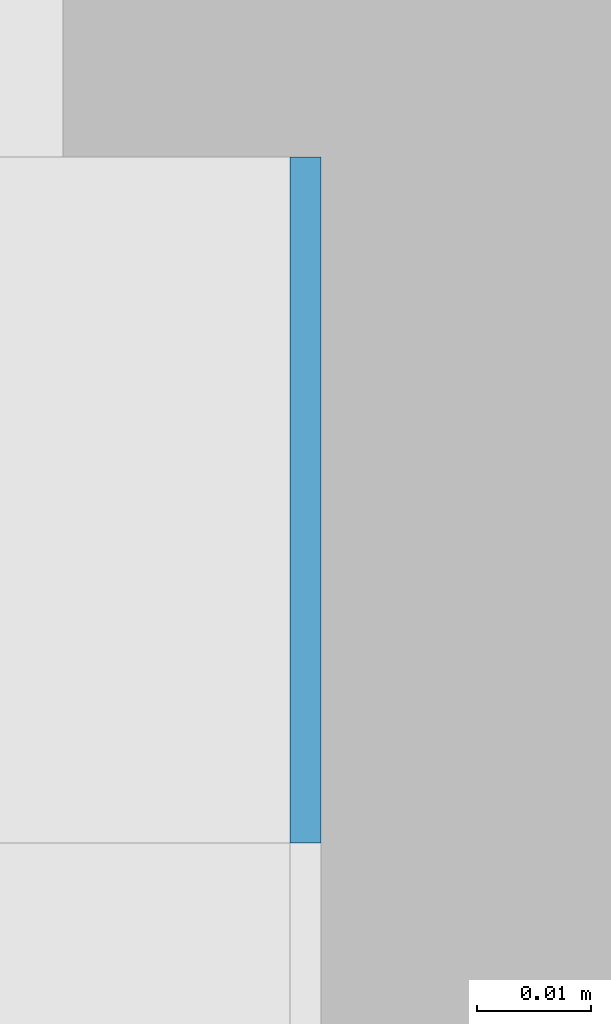
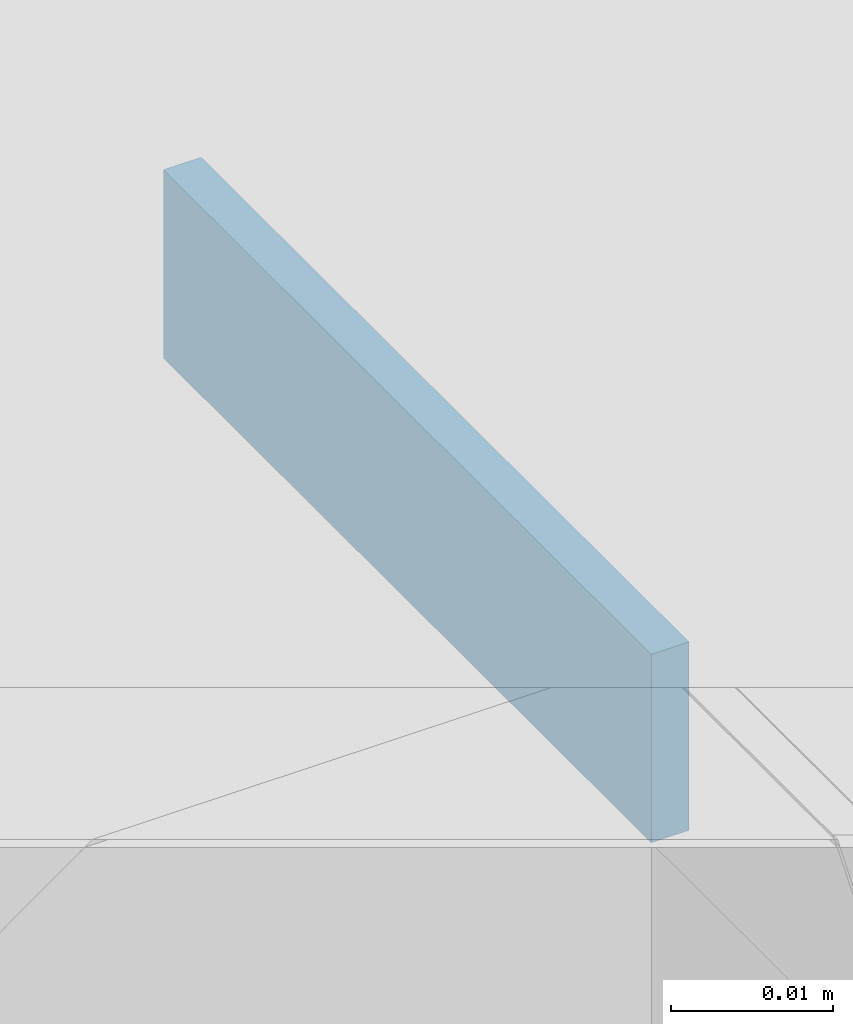
# One storey, part 253 of 646: 1 discrete accessory.
"""IFC4 building model written with IfcOpenShell, lengths in metres."""

import ifcopenshell
import ifcopenshell.guid

model = None  # the IFC model being written
_history = None  # IfcOwnerHistory: only IFC2X3 demands one
_inside = {}  # id of a spatial element -> (the spatial element, [elements in it])
_under = {}  # id of a project, library or spatial element -> (it, [spatial elements below it])
_declared = {}  # id of a project -> (the project, [libraries it declares])
_typed = {}  # id of a type object -> (the type object, [elements of that type])
_made_of = {}  # id of a material, layer set ... -> (it, [elements and type objects made of it])


def new_model(schema):
    """Start an empty IFC model of exactly this schema.

    Asked for "IFC4X3", IfcOpenShell would pick the latest addendum, in which some entities
    have other attributes; the version numbers below select the first issue.
    IFC2X3 requires an IfcOwnerHistory on every rooted entity: one is made here for all.
    """
    global model, _history
    if schema == "IFC4X3":
        model = ifcopenshell.file(schema_version=(4, 3, 0, 0))
    else:
        model = ifcopenshell.file(schema=schema)
    _inside.clear()
    _under.clear()
    _declared.clear()
    _typed.clear()
    _made_of.clear()
    _history = None
    if model.schema == "IFC2X3":
        org = make("IfcOrganization", Name="unknown")
        user = make(
            "IfcPersonAndOrganization",
            ThePerson=make("IfcPerson", FamilyName="unknown"),
            TheOrganization=org,
        )
        app = make(
            "IfcApplication",
            ApplicationDeveloper=org,
            Version="unknown",
            ApplicationFullName="unknown",
            ApplicationIdentifier="unknown",
        )
        _history = make(
            "IfcOwnerHistory",
            OwningUser=user,
            OwningApplication=app,
            ChangeAction="ADDED",
            CreationDate=0,
        )
    return model


def make(cls, **values):
    """One entity of the class cls with the attributes given. An attribute that is None is left unset."""
    return model.create_entity(
        cls, **{name: value for name, value in values.items() if value is not None}
    )


def rooted(cls, **values):
    """An entity with a GlobalId (a new one), such as an element, a storey or a relation."""
    return make(cls, GlobalId=ifcopenshell.guid.new(), OwnerHistory=_history, **values)


def si_unit(unit_type, name, prefix=None):
    """IfcSIUnit, for example si_unit("LENGTHUNIT", "METRE", prefix="MILLI")."""
    return make("IfcSIUnit", UnitType=unit_type, Prefix=prefix, Name=name)


def assignment(units):
    """IfcUnitAssignment: the units of a project."""
    return None if units is None else make("IfcUnitAssignment", Units=units)


def point(xyz):
    """IfcCartesianPoint."""
    return None if xyz is None else make("IfcCartesianPoint", Coordinates=xyz)


def direction(xyz):
    """IfcDirection."""
    return None if xyz is None else make("IfcDirection", DirectionRatios=xyz)


def frame(location, z_axis=None, x_axis=None):
    """IfcAxis2Placement3D, a coordinate frame: its origin and axes. An axis left out is left unset."""
    return make(
        "IfcAxis2Placement3D",
        Location=point(location),
        Axis=direction(z_axis),
        RefDirection=direction(x_axis),
    )


def frame_2d(location, x_axis=None):
    """IfcAxis2Placement2D, a coordinate frame in the plane: its origin and x axis."""
    return make(
        "IfcAxis2Placement2D", Location=point(location), RefDirection=direction(x_axis)
    )


def origin():
    """The frame at (0, 0, 0) with its axes left unset."""
    return frame((0.0, 0.0, 0.0))


def origin_2d():
    """The frame at (0, 0) in the plane with its x axis left unset."""
    return frame_2d((0.0, 0.0))


def place(relative_to, where):
    """IfcLocalPlacement: puts the frame where relative to a parent placement (None: the world)."""
    return make(
        "IfcLocalPlacement", PlacementRelTo=relative_to, RelativePlacement=where
    )


def context(
    kind, dimensions, precision=None, world=None, true_north=None, identifier=None
):
    """IfcGeometricRepresentationContext, for example the 3D "Model" context."""
    return make(
        "IfcGeometricRepresentationContext",
        ContextIdentifier=identifier,
        ContextType=kind,
        CoordinateSpaceDimension=dimensions,
        Precision=precision,
        WorldCoordinateSystem=world,
        TrueNorth=true_north,
    )


def subcontext(parent, identifier, kind, view, scale=None):
    """IfcGeometricRepresentationSubContext, for example "Body" below "Model"."""
    return make(
        "IfcGeometricRepresentationSubContext",
        ContextIdentifier=identifier,
        ContextType=kind,
        ParentContext=parent,
        TargetScale=scale,
        TargetView=view,
    )


def project(units=None, contexts=None):
    """IfcProject with its units and contexts."""
    return rooted(
        "IfcProject",
        Name="project",
        RepresentationContexts=contexts,
        UnitsInContext=assignment(units),
    )


def spatial(cls, under=None, at=None, **own):
    """A site, building, storey or space (cls), placed at a placement, below another one or the project."""
    s = rooted(cls, ObjectPlacement=at, **own)
    if under is not None:
        _under.setdefault(under.id(), (under, []))[1].append(s)
    return s


def profile(cls, at=None, kind="AREA", **sizes):
    """A parametric profile (cls). Its sizes go by their IFC names, for example OverallWidth=200.0."""
    return make(cls, ProfileType=kind, Position=at, **sizes)


def rectangle(**sizes):
    """IfcRectangleProfileDef."""
    return profile("IfcRectangleProfileDef", **sizes)


def extrude(swept, where, along, depth):
    """IfcExtrudedAreaSolid: the profile swept, set in the frame where, extruded along a direction by depth."""
    return make(
        "IfcExtrudedAreaSolid",
        SweptArea=swept,
        Position=where,
        ExtrudedDirection=direction(along),
        Depth=depth,
    )


def shape(context_of_items, identifier, shape_type, items):
    """IfcShapeRepresentation: the items that make up one representation, for example the "Body"."""
    return make(
        "IfcShapeRepresentation",
        ContextOfItems=context_of_items,
        RepresentationIdentifier=identifier,
        RepresentationType=shape_type,
        Items=items,
    )


def material(Name=None, Category=None):
    """IfcMaterial."""
    return make("IfcMaterial", Name=Name, Category=Category)


def made_of(thing, what):
    """Note that an element or type object is made of a material, layer set ...; save() writes the relation."""
    if what is not None:
        _made_of.setdefault(what.id(), (what, []))[1].append(thing)
    return thing


def type_object(cls, material=None, **own):
    """A type object (cls), such as IfcWallType, which elements share."""
    return made_of(rooted(cls, **own), material)


def element(
    cls,
    number,
    at=None,
    inside=None,
    cuts=None,
    type_object=None,
    material=None,
    context=None,
    identifier="Body",
    shape_type=None,
    held_by="IfcProductDefinitionShape",
    body=None,
    shapes=None,
    **own,
):
    """One element of the class cls, such as IfcWall. Its Tag is "e" and its number.

    at: its placement. inside: the storey or other place that contains it. cuts: it is an
    opening in that element (IfcRelVoidsElement). A single representation is given by context,
    identifier, shape_type and body (its items); several are given by shapes. held_by: the class
    of the entity that holds the representations. save() writes the other relations.
    """
    e = rooted(cls, Tag="e%d" % number, ObjectPlacement=at, **own)
    if body is not None:
        shapes = [shape(context, identifier, shape_type, body)]
    if shapes is not None:
        e.Representation = make(held_by, Representations=shapes)
    if inside is not None:
        _inside.setdefault(inside.id(), (inside, []))[1].append(e)
    if cuts is not None:
        rooted(
            "IfcRelVoidsElement", RelatingBuildingElement=cuts, RelatedOpeningElement=e
        )
    if type_object is not None:
        _typed.setdefault(type_object.id(), (type_object, []))[1].append(e)
    return made_of(e, material)


def aggregate(whole, parts):
    """IfcRelAggregates: a whole, such as a stair, and the parts it consists of."""
    return rooted("IfcRelAggregates", RelatingObject=whole, RelatedObjects=parts)


def save(model, path):
    """Write the relations noted so far, then the file.

    IfcRelAggregates (storeys below a building ...), IfcRelContainedInSpatialStructure (elements
    in a storey), IfcRelDefinesByType, IfcRelAssociatesMaterial and IfcRelDeclares: one each for
    every whole, place, type object, material and project.
    """
    for whole, parts in _under.values():
        aggregate(whole, parts)
    for where, things in _inside.values():
        rooted(
            "IfcRelContainedInSpatialStructure",
            RelatedElements=things,
            RelatingStructure=where,
        )
    for kind, things in _typed.values():
        rooted("IfcRelDefinesByType", RelatedObjects=things, RelatingType=kind)
    for what, things in _made_of.values():
        rooted("IfcRelAssociatesMaterial", RelatedObjects=things, RelatingMaterial=what)
    for by, libraries in _declared.values():
        rooted("IfcRelDeclares", RelatingContext=by, RelatedDefinitions=libraries)
    model.write(path)


model = new_model("IFC4")

# Units and contexts
model_context = context("Model", 3, precision=1e-05, world=origin(), true_north=direction((0.0, 1.0)))
body_context = subcontext(model_context, "Body", "Model", "MODEL_VIEW")
ifc_project = project(units=[si_unit("LENGTHUNIT", "METRE"), si_unit("AREAUNIT", "SQUARE_METRE"), si_unit("VOLUMEUNIT", "CUBIC_METRE"), si_unit("PLANEANGLEUNIT", "RADIAN"), si_unit("MASSUNIT", "GRAM", prefix="KILO")], contexts=[model_context])

# Site, building, storey
site_placement = place(None, origin())
site = spatial("IfcSite", under=ifc_project, at=site_placement, CompositionType="ELEMENT")
building_placement = place(site_placement, origin())
building = spatial("IfcBuilding", under=site, at=building_placement, Name="Silverbay Arena", CompositionType="ELEMENT")
storey_placement = place(building_placement, frame((0.0, 0.0, 33.5)))
storey = spatial("IfcBuildingStorey", under=building, at=storey_placement, Name="L05", CompositionType="ELEMENT", Elevation=33.5)

# Discrete accessory
ifc_material = material(Name="Steel S355", Category="steel")
discrete_accessory_type = type_object("IfcDiscreteAccessoryType", Name="Steel bracket plate", PredefinedType="BRACKET", material=ifc_material)
discrete_accessory_placement = place(storey_placement, frame((53.871337890625, 36.030029296875, 12.98583984375), z_axis=(0.0, 0.0, 1.0), x_axis=(1.0, 0.0, 0.0)))
element("IfcDiscreteAccessory", 1, at=discrete_accessory_placement, inside=storey, type_object=discrete_accessory_type, Name="Curtain wall packing plate", PredefinedType="BRACKET", context=body_context, shape_type="SweptSolid", body=[
    extrude(rectangle(XDim=0.002685546875, YDim=0.06005859375, at=origin_2d()), origin(), (0.0, 0.0, 1.0), 0.01416015625),
])

save(model, "model.ifc")
